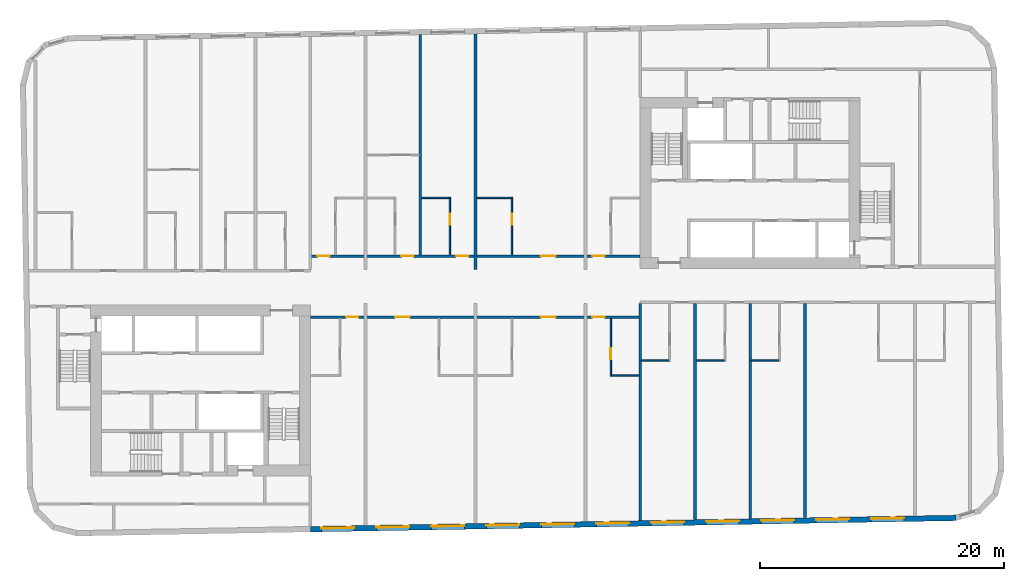
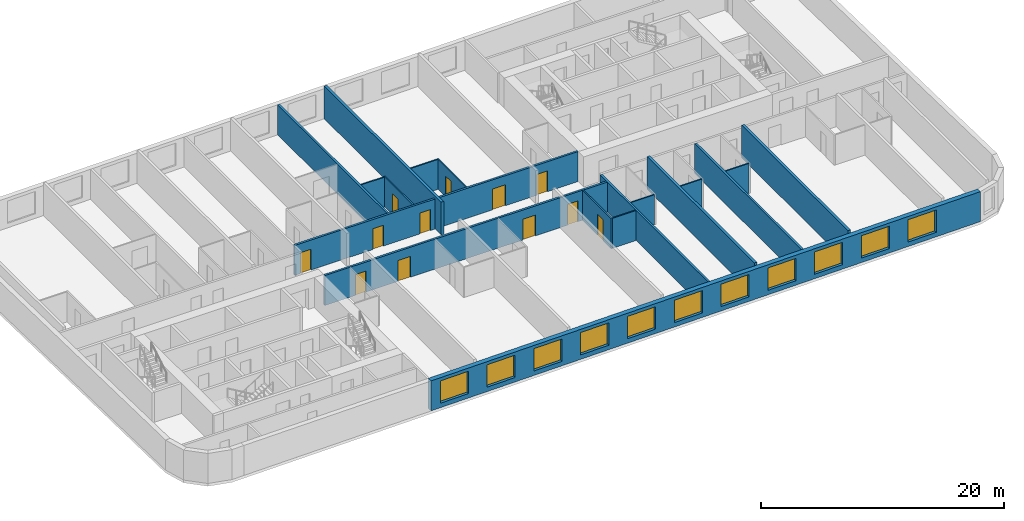
# One storey, part 4 of 11: 18 walls, 12 doors, 11 windows, 23 openings.
"""IFC4 building model written with IfcOpenShell, lengths in metres."""

from ifc_helpers import new_model, si_unit, direction, frame, frame_2d, origin, place, context, subcontext, project, spatial, rectangle, extrude, material, layer, layer_set, type_object, element, fill, save


model = new_model("IFC4")

# Units and contexts
model_context = context("Model", 3, precision=1e-05, world=origin(), true_north=direction((0.0, 1.0)))
body_context = subcontext(model_context, "Body", "Model", "MODEL_VIEW")
ifc_project = project(units=[si_unit("LENGTHUNIT", "METRE"), si_unit("AREAUNIT", "SQUARE_METRE"), si_unit("VOLUMEUNIT", "CUBIC_METRE"), si_unit("PLANEANGLEUNIT", "RADIAN"), si_unit("MASSUNIT", "GRAM", prefix="KILO")], contexts=[model_context])

# Site, building, storey
site_placement = place(None, origin())
site = spatial("IfcSite", under=ifc_project, at=site_placement, CompositionType="ELEMENT")
building_placement = place(site_placement, origin())
building = spatial("IfcBuilding", under=site, at=building_placement, Name="Kajstack Hotel Tower", CompositionType="ELEMENT")
storey_placement = place(building_placement, frame((0.0, 0.0, 250.699951171875)))
storey = spatial("IfcBuildingStorey", under=building, at=storey_placement, Name="L62", CompositionType="ELEMENT", Elevation=250.699951171875)

# Wall, openings, doors
ifc_material_1 = material(Name="Gypsum board on steel studs, mineral wool", Category="steel")
ifc_layer_1 = layer(ifc_material_1, 0.199951171875)
ifc_layer_set_1 = layer_set([ifc_layer_1], Name="Corridor wall 200")
wall_type_1 = type_object("IfcWallType", Name="Corridor wall 200", PredefinedType="PARTITIONING", material=ifc_layer_set_1)
wall_1_placement = place(storey_placement, frame((-13.5, 2.5, 0.0), z_axis=(0.0, 0.0, 1.0), x_axis=(1.0, 0.0, 0.0)))
wall_1 = element("IfcWall", 1, at=wall_1_placement, inside=storey, type_object=wall_type_1, Name="G-wall-L62-004", PredefinedType="PARTITIONING", context=body_context, shape_type="SweptSolid", body=[
    extrude(rectangle(XDim=27.0, YDim=0.199951171875, at=frame_2d((13.5, 0.0))), origin(), (0.0, 0.0, 1.0), 3.02001953125),
])
opening_1_placement = place(wall_1_placement, frame((0.574951171875, 0.0, 0.0)))
opening_1 = element("IfcOpeningElement", 2, at=opening_1_placement, cuts=wall_1, Name="Opening 62010", PredefinedType="OPENING", context=body_context, shape_type="SweptSolid", body=[
    extrude(rectangle(XDim=1.0, YDim=2.10009765625, at=frame_2d((0.5, 1.050048828125))), frame((0.0, 0.10986328125, 0.0), z_axis=(0.0, -1.0, 0.0), x_axis=(1.0, 0.0, 0.0)), (0.0, 0.0, 1.0), 0.219970703125),
])
opening_2_placement = place(wall_1_placement, frame((7.449951171875, 0.0, 0.0)))
opening_2 = element("IfcOpeningElement", 3, at=opening_2_placement, cuts=wall_1, Name="Opening 62012", PredefinedType="OPENING", context=body_context, shape_type="SweptSolid", body=[
    extrude(rectangle(XDim=1.0, YDim=2.10009765625, at=frame_2d((0.5, 1.050048828125))), frame((0.0, 0.10986328125, 0.0), z_axis=(0.0, -1.0, 0.0), x_axis=(1.0, 0.0, 0.0)), (0.0, 0.0, 1.0), 0.219970703125),
])
opening_3_placement = place(wall_1_placement, frame((11.925048828125, 0.0, 0.0)))
opening_3 = element("IfcOpeningElement", 4, at=opening_3_placement, cuts=wall_1, Name="Opening 62015", PredefinedType="OPENING", context=body_context, shape_type="SweptSolid", body=[
    extrude(rectangle(XDim=1.0, YDim=2.10009765625, at=frame_2d((0.5, 1.050048828125))), frame((0.0, 0.10986328125, 0.0), z_axis=(0.0, -1.0, 0.0), x_axis=(1.0, 0.0, 0.0)), (0.0, 0.0, 1.0), 0.219970703125),
])
opening_4_placement = place(wall_1_placement, frame((18.862060546875, 0.0, 0.0)))
opening_4 = element("IfcOpeningElement", 5, at=opening_4_placement, cuts=wall_1, Name="Opening 62017", PredefinedType="OPENING", context=body_context, shape_type="SweptSolid", body=[
    extrude(rectangle(XDim=1.199951171875, YDim=2.10009765625, at=frame_2d((0.60009765625, 1.050048828125))), frame((0.0, 0.10986328125, 0.0), z_axis=(0.0, -1.0, 0.0), x_axis=(1.0, 0.0, 0.0)), (0.0, 0.0, 1.0), 0.219970703125),
])
opening_5_placement = place(wall_1_placement, frame((23.074951171875, 0.0, 0.0)))
opening_5 = element("IfcOpeningElement", 6, at=opening_5_placement, cuts=wall_1, Name="Opening 62019", PredefinedType="OPENING", context=body_context, shape_type="SweptSolid", body=[
    extrude(rectangle(XDim=1.0, YDim=2.10009765625, at=frame_2d((0.5, 1.050048828125))), frame((0.0, 0.10986328125, 0.0), z_axis=(0.0, -1.0, 0.0), x_axis=(1.0, 0.0, 0.0)), (0.0, 0.0, 1.0), 0.219970703125),
])
ifc_material_2 = material(Name="Oak veneer on timber core, fire-rated leaf", Category="wood")
door_type_1 = type_object("IfcDoorType", Name="Flat entrance door 1000", OperationType="SINGLE_SWING_LEFT", PredefinedType="DOOR", material=ifc_material_2)
door_1_placement = place(opening_1_placement, origin())
door_1 = element("IfcDoor", 7, at=door_1_placement, inside=storey, type_object=door_type_1, Name="G-door-L62-10", OperationType="SINGLE_SWING_RIGHT", OverallHeight=2.10009765625, OverallWidth=1.0, PredefinedType="DOOR", context=body_context, shape_type="SweptSolid", body=[
    extrude(rectangle(XDim=1.0, YDim=2.10009765625, at=frame_2d((0.5, 1.050048828125))), frame((0.0, 0.02490234375, 0.0), z_axis=(0.0, -1.0, 0.0), x_axis=(1.0, 0.0, 0.0)), (0.0, 0.0, 1.0), 0.050048828125),
])
fill(opening_1, door_1)
door_2_placement = place(opening_2_placement, origin())
door_2 = element("IfcDoor", 8, at=door_2_placement, inside=storey, type_object=door_type_1, Name="G-door-L62-12", OperationType="SINGLE_SWING_LEFT", OverallHeight=2.10009765625, OverallWidth=1.0, PredefinedType="DOOR", context=body_context, shape_type="SweptSolid", body=[
    extrude(rectangle(XDim=1.0, YDim=2.10009765625, at=frame_2d((0.5, 1.050048828125))), frame((0.0, 0.02490234375, 0.0), z_axis=(0.0, -1.0, 0.0), x_axis=(1.0, 0.0, 0.0)), (0.0, 0.0, 1.0), 0.050048828125),
])
fill(opening_2, door_2)
door_3_placement = place(opening_3_placement, origin())
door_3 = element("IfcDoor", 9, at=door_3_placement, inside=storey, type_object=door_type_1, Name="G-door-L62-15", OperationType="SINGLE_SWING_RIGHT", OverallHeight=2.10009765625, OverallWidth=1.0, PredefinedType="DOOR", context=body_context, shape_type="SweptSolid", body=[
    extrude(rectangle(XDim=1.0, YDim=2.10009765625, at=frame_2d((0.5, 1.050048828125))), frame((0.0, 0.02490234375, 0.0), z_axis=(0.0, -1.0, 0.0), x_axis=(1.0, 0.0, 0.0)), (0.0, 0.0, 1.0), 0.050048828125),
])
fill(opening_3, door_3)
door_4_placement = place(opening_5_placement, origin())
door_4 = element("IfcDoor", 10, at=door_4_placement, inside=storey, type_object=door_type_1, Name="G-door-L62-19", OperationType="SINGLE_SWING_LEFT", OverallHeight=2.10009765625, OverallWidth=1.0, PredefinedType="DOOR", context=body_context, shape_type="SweptSolid", body=[
    extrude(rectangle(XDim=1.0, YDim=2.10009765625, at=frame_2d((0.5, 1.050048828125))), frame((0.0, 0.02490234375, 0.0), z_axis=(0.0, -1.0, 0.0), x_axis=(1.0, 0.0, 0.0)), (0.0, 0.0, 1.0), 0.050048828125),
])
fill(opening_5, door_4)
door_type_2 = type_object("IfcDoorType", Name="Flat entrance door 1200", OperationType="SINGLE_SWING_LEFT", PredefinedType="DOOR", material=ifc_material_2)
door_5_placement = place(opening_4_placement, origin())
door_5 = element("IfcDoor", 11, at=door_5_placement, inside=storey, type_object=door_type_2, Name="G-door-L62-17", OperationType="SINGLE_SWING_LEFT", OverallHeight=2.10009765625, OverallWidth=1.199951171875, PredefinedType="DOOR", context=body_context, shape_type="SweptSolid", body=[
    extrude(rectangle(XDim=1.199951171875, YDim=2.10009765625, at=frame_2d((0.60009765625, 1.050048828125))), frame((0.0, 0.02490234375, 0.0), z_axis=(0.0, -1.0, 0.0), x_axis=(1.0, 0.0, 0.0)), (0.0, 0.0, 1.0), 0.050048828125),
])
fill(opening_4, door_5)

wall_2_placement = place(storey_placement, frame((-13.5, -2.5, 0.0), z_axis=(0.0, 0.0, 1.0), x_axis=(1.0, 0.0, 0.0)))
wall_2 = element("IfcWall", 12, at=wall_2_placement, inside=storey, type_object=wall_type_1, Name="G-wall-L62-028", PredefinedType="PARTITIONING", context=body_context, shape_type="SweptSolid", body=[
    extrude(rectangle(XDim=27.0, YDim=0.199951171875, at=frame_2d((13.5, 0.0))), origin(), (0.0, 0.0, 1.0), 3.02001953125),
])
opening_6_placement = place(wall_2_placement, frame((2.925048828125, 0.0, 0.0)))
opening_6 = element("IfcOpeningElement", 13, at=opening_6_placement, cuts=wall_2, Name="Opening 62021", PredefinedType="OPENING", context=body_context, shape_type="SweptSolid", body=[
    extrude(rectangle(XDim=1.0, YDim=2.10009765625, at=frame_2d((0.5, 1.050048828125))), frame((0.0, 0.10986328125, 0.0), z_axis=(0.0, -1.0, 0.0), x_axis=(1.0, 0.0, 0.0)), (0.0, 0.0, 1.0), 0.219970703125),
])
opening_7_placement = place(wall_2_placement, frame((6.93798828125, 0.0, 0.0)))
opening_7 = element("IfcOpeningElement", 14, at=opening_7_placement, cuts=wall_2, Name="Opening 62023", PredefinedType="OPENING", context=body_context, shape_type="SweptSolid", body=[
    extrude(rectangle(XDim=1.199951171875, YDim=2.10009765625, at=frame_2d((0.60009765625, 1.050048828125))), frame((0.0, 0.10986328125, 0.0), z_axis=(0.0, -1.0, 0.0), x_axis=(1.0, 0.0, 0.0)), (0.0, 0.0, 1.0), 0.219970703125),
])
opening_8_placement = place(wall_2_placement, frame((18.862060546875, 0.0, 0.0)))
opening_8 = element("IfcOpeningElement", 15, at=opening_8_placement, cuts=wall_2, Name="Opening 62025", PredefinedType="OPENING", context=body_context, shape_type="SweptSolid", body=[
    extrude(rectangle(XDim=1.199951171875, YDim=2.10009765625, at=frame_2d((0.60009765625, 1.050048828125))), frame((0.0, 0.10986328125, 0.0), z_axis=(0.0, -1.0, 0.0), x_axis=(1.0, 0.0, 0.0)), (0.0, 0.0, 1.0), 0.219970703125),
])
opening_9_placement = place(wall_2_placement, frame((23.074951171875, 0.0, 0.0)))
opening_9 = element("IfcOpeningElement", 16, at=opening_9_placement, cuts=wall_2, Name="Opening 62027", PredefinedType="OPENING", context=body_context, shape_type="SweptSolid", body=[
    extrude(rectangle(XDim=1.0, YDim=2.10009765625, at=frame_2d((0.5, 1.050048828125))), frame((0.0, 0.10986328125, 0.0), z_axis=(0.0, -1.0, 0.0), x_axis=(1.0, 0.0, 0.0)), (0.0, 0.0, 1.0), 0.219970703125),
])
door_6_placement = place(opening_6_placement, origin())
door_6 = element("IfcDoor", 17, at=door_6_placement, inside=storey, type_object=door_type_1, Name="G-door-L62-21", OperationType="SINGLE_SWING_LEFT", OverallHeight=2.10009765625, OverallWidth=1.0, PredefinedType="DOOR", context=body_context, shape_type="SweptSolid", body=[
    extrude(rectangle(XDim=1.0, YDim=2.10009765625, at=frame_2d((0.5, 1.050048828125))), frame((0.0, 0.02490234375, 0.0), z_axis=(0.0, -1.0, 0.0), x_axis=(1.0, 0.0, 0.0)), (0.0, 0.0, 1.0), 0.050048828125),
])
fill(opening_6, door_6)
door_7_placement = place(opening_9_placement, origin())
door_7 = element("IfcDoor", 18, at=door_7_placement, inside=storey, type_object=door_type_1, Name="G-door-L62-27", OperationType="SINGLE_SWING_RIGHT", OverallHeight=2.10009765625, OverallWidth=1.0, PredefinedType="DOOR", context=body_context, shape_type="SweptSolid", body=[
    extrude(rectangle(XDim=1.0, YDim=2.10009765625, at=frame_2d((0.5, 1.050048828125))), frame((0.0, 0.02490234375, 0.0), z_axis=(0.0, -1.0, 0.0), x_axis=(1.0, 0.0, 0.0)), (0.0, 0.0, 1.0), 0.050048828125),
])
fill(opening_9, door_7)
door_8_placement = place(opening_7_placement, origin())
door_8 = element("IfcDoor", 19, at=door_8_placement, inside=storey, type_object=door_type_2, Name="G-door-L62-23", OperationType="SINGLE_SWING_RIGHT", OverallHeight=2.10009765625, OverallWidth=1.199951171875, PredefinedType="DOOR", context=body_context, shape_type="SweptSolid", body=[
    extrude(rectangle(XDim=1.199951171875, YDim=2.10009765625, at=frame_2d((0.60009765625, 1.050048828125))), frame((0.0, 0.02490234375, 0.0), z_axis=(0.0, -1.0, 0.0), x_axis=(1.0, 0.0, 0.0)), (0.0, 0.0, 1.0), 0.050048828125),
])
fill(opening_7, door_8)
door_9_placement = place(opening_8_placement, origin())
door_9 = element("IfcDoor", 20, at=door_9_placement, inside=storey, type_object=door_type_2, Name="G-door-L62-25", OperationType="SINGLE_SWING_RIGHT", OverallHeight=2.10009765625, OverallWidth=1.199951171875, PredefinedType="DOOR", context=body_context, shape_type="SweptSolid", body=[
    extrude(rectangle(XDim=1.199951171875, YDim=2.10009765625, at=frame_2d((0.60009765625, 1.050048828125))), frame((0.0, 0.02490234375, 0.0), z_axis=(0.0, -1.0, 0.0), x_axis=(1.0, 0.0, 0.0)), (0.0, 0.0, 1.0), 0.050048828125),
])
fill(opening_8, door_9)

# Walls
ifc_material_3 = material(Name="Twin-frame gypsum board on steel studs, mineral wool", Category="steel")
ifc_layer_2 = layer(ifc_material_3, 0.199951171875)
ifc_layer_set_2 = layer_set([ifc_layer_2], Name="Demising wall 200")
wall_type_2 = type_object("IfcWallType", Name="Demising wall 200", PredefinedType="PARTITIONING", material=ifc_layer_set_2)
wall_3_placement = place(storey_placement, frame((-4.5, 2.60009765625, 0.0), z_axis=(0.0, 0.0, 1.0), x_axis=(0.0, 1.0, 0.0)))
element("IfcWall", 21, at=wall_3_placement, inside=storey, type_object=wall_type_2, Name="G-wall-L62-018", PredefinedType="PARTITIONING", context=body_context, shape_type="SweptSolid", body=[
    extrude(rectangle(XDim=18.02197265625, YDim=0.199951171875, at=frame_2d((9.010986328125, 0.0))), origin(), (0.0, 0.0, 1.0), 3.02001953125),
])
wall_4_placement = place(storey_placement, frame((13.5, -19.169921875, 0.0), z_axis=(0.0, 0.0, 1.0), x_axis=(0.0, 1.0, 0.0)))
element("IfcWall", 22, at=wall_4_placement, inside=storey, type_object=wall_type_2, Name="G-wall-L62-036", PredefinedType="PARTITIONING", context=body_context, shape_type="SweptSolid", body=[
    extrude(rectangle(XDim=17.77001953125, YDim=0.199951171875, at=frame_2d((8.885009765625, 0.0))), origin(), (0.0, 0.0, 1.0), 3.02001953125),
])
wall_5_placement = place(storey_placement, frame((22.5, -19.012939453125, 0.0), z_axis=(0.0, 0.0, 1.0), x_axis=(0.0, 1.0, 0.0)))
element("IfcWall", 23, at=wall_5_placement, inside=storey, type_object=wall_type_2, Name="G-wall-L62-041", PredefinedType="PARTITIONING", context=body_context, shape_type="SweptSolid", body=[
    extrude(rectangle(XDim=17.613037109375, YDim=0.199951171875, at=frame_2d((8.806640625, 0.0))), origin(), (0.0, 0.0, 1.0), 3.02001953125),
])

# Wall, openings, windows
ifc_material_4 = material(Name="Terracotta-faced brick masonry", Category="masonry")
ifc_layer_3 = layer(ifc_material_4, 0.449951171875)
ifc_layer_set_3 = layer_set([ifc_layer_3], Name="EW-TERRA")
wall_type_3 = type_object("IfcWallType", Name="EW-TERRA", PredefinedType="SOLIDWALL", material=ifc_layer_set_3)
wall_6_placement = place(storey_placement, frame((-13.50390625, -19.8662109375, 0.0), z_axis=(0.0, 0.0, 1.0), x_axis=(0.999847672978, 0.017453676992, 0.0)))
wall_6 = element("IfcWall", 24, at=wall_6_placement, inside=storey, type_object=wall_type_3, Name="E-wall-L62-04-02", PredefinedType="SOLIDWALL", context=body_context, shape_type="SweptSolid", body=[
    extrude(rectangle(XDim=52.8603515625, YDim=0.449951171875, at=frame_2d((26.43017578125, 0.0))), origin(), (0.0, 0.0, 1.0), 3.02001953125),
])
opening_10_placement = place(wall_6_placement, frame((0.900390625, 0.0, 0.449951171875)))
opening_10 = element("IfcOpeningElement", 25, at=opening_10_placement, cuts=wall_6, Name="Opening W1", PredefinedType="OPENING", context=body_context, shape_type="SweptSolid", body=[
    extrude(rectangle(XDim=2.699951171875, YDim=2.25, at=frame_2d((1.35009765625, 1.125))), frame((0.0, 0.23486328125, 0.0), z_axis=(0.0, -1.0, 0.0), x_axis=(1.0, 0.0, 0.0)), (0.0, 0.0, 1.0), 0.469970703125),
])
opening_11_placement = place(wall_6_placement, frame((5.40087890625, 0.0, 0.449951171875)))
opening_11 = element("IfcOpeningElement", 26, at=opening_11_placement, cuts=wall_6, Name="Opening W1", PredefinedType="OPENING", context=body_context, shape_type="SweptSolid", body=[
    extrude(rectangle(XDim=2.699951171875, YDim=2.25, at=frame_2d((1.35009765625, 1.125))), frame((0.0, 0.23486328125, 0.0), z_axis=(0.0, -1.0, 0.0), x_axis=(1.0, 0.0, 0.0)), (0.0, 0.0, 1.0), 0.469970703125),
])
opening_12_placement = place(wall_6_placement, frame((9.901611328125, 0.0, 0.449951171875)))
opening_12 = element("IfcOpeningElement", 27, at=opening_12_placement, cuts=wall_6, Name="Opening W1", PredefinedType="OPENING", context=body_context, shape_type="SweptSolid", body=[
    extrude(rectangle(XDim=2.699951171875, YDim=2.25, at=frame_2d((1.35009765625, 1.125))), frame((0.0, 0.23486328125, 0.0), z_axis=(0.0, -1.0, 0.0), x_axis=(1.0, 0.0, 0.0)), (0.0, 0.0, 1.0), 0.469970703125),
])
opening_13_placement = place(wall_6_placement, frame((14.40234375, 0.0, 0.449951171875)))
opening_13 = element("IfcOpeningElement", 28, at=opening_13_placement, cuts=wall_6, Name="Opening W1", PredefinedType="OPENING", context=body_context, shape_type="SweptSolid", body=[
    extrude(rectangle(XDim=2.699951171875, YDim=2.25, at=frame_2d((1.35009765625, 1.125))), frame((0.0, 0.23486328125, 0.0), z_axis=(0.0, -1.0, 0.0), x_axis=(1.0, 0.0, 0.0)), (0.0, 0.0, 1.0), 0.469970703125),
])
opening_14_placement = place(wall_6_placement, frame((18.903076171875, 0.0, 0.449951171875)))
opening_14 = element("IfcOpeningElement", 29, at=opening_14_placement, cuts=wall_6, Name="Opening W1", PredefinedType="OPENING", context=body_context, shape_type="SweptSolid", body=[
    extrude(rectangle(XDim=2.699951171875, YDim=2.25, at=frame_2d((1.35009765625, 1.125))), frame((0.0, 0.23486328125, 0.0), z_axis=(0.0, -1.0, 0.0), x_axis=(1.0, 0.0, 0.0)), (0.0, 0.0, 1.0), 0.469970703125),
])
opening_15_placement = place(wall_6_placement, frame((23.40380859375, 0.0, 0.449951171875)))
opening_15 = element("IfcOpeningElement", 30, at=opening_15_placement, cuts=wall_6, Name="Opening W1", PredefinedType="OPENING", context=body_context, shape_type="SweptSolid", body=[
    extrude(rectangle(XDim=2.699951171875, YDim=2.25, at=frame_2d((1.35009765625, 1.125))), frame((0.0, 0.23486328125, 0.0), z_axis=(0.0, -1.0, 0.0), x_axis=(1.0, 0.0, 0.0)), (0.0, 0.0, 1.0), 0.469970703125),
])
opening_16_placement = place(wall_6_placement, frame((27.904296875, 0.0, 0.449951171875)))
opening_16 = element("IfcOpeningElement", 31, at=opening_16_placement, cuts=wall_6, Name="Opening W1", PredefinedType="OPENING", context=body_context, shape_type="SweptSolid", body=[
    extrude(rectangle(XDim=2.699951171875, YDim=2.25, at=frame_2d((1.35009765625, 1.125))), frame((0.0, 0.23486328125, 0.0), z_axis=(0.0, -1.0, 0.0), x_axis=(1.0, 0.0, 0.0)), (0.0, 0.0, 1.0), 0.469970703125),
])
opening_17_placement = place(wall_6_placement, frame((32.405029296875, 0.0, 0.449951171875)))
opening_17 = element("IfcOpeningElement", 32, at=opening_17_placement, cuts=wall_6, Name="Opening W1", PredefinedType="OPENING", context=body_context, shape_type="SweptSolid", body=[
    extrude(rectangle(XDim=2.699951171875, YDim=2.25, at=frame_2d((1.35009765625, 1.125))), frame((0.0, 0.23486328125, 0.0), z_axis=(0.0, -1.0, 0.0), x_axis=(1.0, 0.0, 0.0)), (0.0, 0.0, 1.0), 0.469970703125),
])
opening_18_placement = place(wall_6_placement, frame((36.90576171875, 0.0, 0.449951171875)))
opening_18 = element("IfcOpeningElement", 33, at=opening_18_placement, cuts=wall_6, Name="Opening W1", PredefinedType="OPENING", context=body_context, shape_type="SweptSolid", body=[
    extrude(rectangle(XDim=2.699951171875, YDim=2.25, at=frame_2d((1.35009765625, 1.125))), frame((0.0, 0.23486328125, 0.0), z_axis=(0.0, -1.0, 0.0), x_axis=(1.0, 0.0, 0.0)), (0.0, 0.0, 1.0), 0.469970703125),
])
opening_19_placement = place(wall_6_placement, frame((41.406494140625, 0.0, 0.449951171875)))
opening_19 = element("IfcOpeningElement", 34, at=opening_19_placement, cuts=wall_6, Name="Opening W1", PredefinedType="OPENING", context=body_context, shape_type="SweptSolid", body=[
    extrude(rectangle(XDim=2.699951171875, YDim=2.25, at=frame_2d((1.35009765625, 1.125))), frame((0.0, 0.23486328125, 0.0), z_axis=(0.0, -1.0, 0.0), x_axis=(1.0, 0.0, 0.0)), (0.0, 0.0, 1.0), 0.469970703125),
])
opening_20_placement = place(wall_6_placement, frame((45.9072265625, 0.0, 0.449951171875)))
opening_20 = element("IfcOpeningElement", 35, at=opening_20_placement, cuts=wall_6, Name="Opening W1", PredefinedType="OPENING", context=body_context, shape_type="SweptSolid", body=[
    extrude(rectangle(XDim=2.699951171875, YDim=2.25, at=frame_2d((1.35009765625, 1.125))), frame((0.0, 0.23486328125, 0.0), z_axis=(0.0, -1.0, 0.0), x_axis=(1.0, 0.0, 0.0)), (0.0, 0.0, 1.0), 0.469970703125),
])
ifc_material_5 = material(Name="Timber-aluminium window, triple glazed", Category="wood")
window_type = type_object("IfcWindowType", Name="WG1", PartitioningType="SINGLE_PANEL", PredefinedType="WINDOW", material=ifc_material_5)
window_1_placement = place(opening_10_placement, origin())
window_1 = element("IfcWindow", 36, at=window_1_placement, inside=storey, type_object=window_type, Name="Window W1 L62-04", OverallHeight=2.25, OverallWidth=2.699951171875, PartitioningType="SINGLE_PANEL", PredefinedType="WINDOW", context=body_context, shape_type="SweptSolid", body=[
    extrude(rectangle(XDim=2.699951171875, YDim=2.25, at=frame_2d((1.35009765625, 1.125))), frame((0.0, 0.090087890625, 0.0), z_axis=(0.0, -1.0, 0.0), x_axis=(1.0, 0.0, 0.0)), (0.0, 0.0, 1.0), 0.06005859375),
])
fill(opening_10, window_1)
window_2_placement = place(opening_11_placement, origin())
window_2 = element("IfcWindow", 37, at=window_2_placement, inside=storey, type_object=window_type, Name="Window W1 L62-04", OverallHeight=2.25, OverallWidth=2.699951171875, PartitioningType="SINGLE_PANEL", PredefinedType="WINDOW", context=body_context, shape_type="SweptSolid", body=[
    extrude(rectangle(XDim=2.699951171875, YDim=2.25, at=frame_2d((1.35009765625, 1.125))), frame((0.0, 0.090087890625, 0.0), z_axis=(0.0, -1.0, 0.0), x_axis=(1.0, 0.0, 0.0)), (0.0, 0.0, 1.0), 0.06005859375),
])
fill(opening_11, window_2)
window_3_placement = place(opening_12_placement, origin())
window_3 = element("IfcWindow", 38, at=window_3_placement, inside=storey, type_object=window_type, Name="Window W1 L62-04", OverallHeight=2.25, OverallWidth=2.699951171875, PartitioningType="SINGLE_PANEL", PredefinedType="WINDOW", context=body_context, shape_type="SweptSolid", body=[
    extrude(rectangle(XDim=2.699951171875, YDim=2.25, at=frame_2d((1.35009765625, 1.125))), frame((0.0, 0.090087890625, 0.0), z_axis=(0.0, -1.0, 0.0), x_axis=(1.0, 0.0, 0.0)), (0.0, 0.0, 1.0), 0.06005859375),
])
fill(opening_12, window_3)
window_4_placement = place(opening_13_placement, origin())
window_4 = element("IfcWindow", 39, at=window_4_placement, inside=storey, type_object=window_type, Name="Window W1 L62-04", OverallHeight=2.25, OverallWidth=2.699951171875, PartitioningType="SINGLE_PANEL", PredefinedType="WINDOW", context=body_context, shape_type="SweptSolid", body=[
    extrude(rectangle(XDim=2.699951171875, YDim=2.25, at=frame_2d((1.35009765625, 1.125))), frame((0.0, 0.090087890625, 0.0), z_axis=(0.0, -1.0, 0.0), x_axis=(1.0, 0.0, 0.0)), (0.0, 0.0, 1.0), 0.06005859375),
])
fill(opening_13, window_4)
window_5_placement = place(opening_14_placement, origin())
window_5 = element("IfcWindow", 40, at=window_5_placement, inside=storey, type_object=window_type, Name="Window W1 L62-04", OverallHeight=2.25, OverallWidth=2.699951171875, PartitioningType="SINGLE_PANEL", PredefinedType="WINDOW", context=body_context, shape_type="SweptSolid", body=[
    extrude(rectangle(XDim=2.699951171875, YDim=2.25, at=frame_2d((1.35009765625, 1.125))), frame((0.0, 0.090087890625, 0.0), z_axis=(0.0, -1.0, 0.0), x_axis=(1.0, 0.0, 0.0)), (0.0, 0.0, 1.0), 0.06005859375),
])
fill(opening_14, window_5)
window_6_placement = place(opening_15_placement, origin())
window_6 = element("IfcWindow", 41, at=window_6_placement, inside=storey, type_object=window_type, Name="Window W1 L62-04", OverallHeight=2.25, OverallWidth=2.699951171875, PartitioningType="SINGLE_PANEL", PredefinedType="WINDOW", context=body_context, shape_type="SweptSolid", body=[
    extrude(rectangle(XDim=2.699951171875, YDim=2.25, at=frame_2d((1.35009765625, 1.125))), frame((0.0, 0.090087890625, 0.0), z_axis=(0.0, -1.0, 0.0), x_axis=(1.0, 0.0, 0.0)), (0.0, 0.0, 1.0), 0.06005859375),
])
fill(opening_15, window_6)
window_7_placement = place(opening_16_placement, origin())
window_7 = element("IfcWindow", 42, at=window_7_placement, inside=storey, type_object=window_type, Name="Window W1 L62-04", OverallHeight=2.25, OverallWidth=2.699951171875, PartitioningType="SINGLE_PANEL", PredefinedType="WINDOW", context=body_context, shape_type="SweptSolid", body=[
    extrude(rectangle(XDim=2.699951171875, YDim=2.25, at=frame_2d((1.35009765625, 1.125))), frame((0.0, 0.090087890625, 0.0), z_axis=(0.0, -1.0, 0.0), x_axis=(1.0, 0.0, 0.0)), (0.0, 0.0, 1.0), 0.06005859375),
])
fill(opening_16, window_7)
window_8_placement = place(opening_17_placement, origin())
window_8 = element("IfcWindow", 43, at=window_8_placement, inside=storey, type_object=window_type, Name="Window W1 L62-04", OverallHeight=2.25, OverallWidth=2.699951171875, PartitioningType="SINGLE_PANEL", PredefinedType="WINDOW", context=body_context, shape_type="SweptSolid", body=[
    extrude(rectangle(XDim=2.699951171875, YDim=2.25, at=frame_2d((1.35009765625, 1.125))), frame((0.0, 0.090087890625, 0.0), z_axis=(0.0, -1.0, 0.0), x_axis=(1.0, 0.0, 0.0)), (0.0, 0.0, 1.0), 0.06005859375),
])
fill(opening_17, window_8)
window_9_placement = place(opening_18_placement, origin())
window_9 = element("IfcWindow", 44, at=window_9_placement, inside=storey, type_object=window_type, Name="Window W1 L62-04", OverallHeight=2.25, OverallWidth=2.699951171875, PartitioningType="SINGLE_PANEL", PredefinedType="WINDOW", context=body_context, shape_type="SweptSolid", body=[
    extrude(rectangle(XDim=2.699951171875, YDim=2.25, at=frame_2d((1.35009765625, 1.125))), frame((0.0, 0.090087890625, 0.0), z_axis=(0.0, -1.0, 0.0), x_axis=(1.0, 0.0, 0.0)), (0.0, 0.0, 1.0), 0.06005859375),
])
fill(opening_18, window_9)
window_10_placement = place(opening_19_placement, origin())
window_10 = element("IfcWindow", 45, at=window_10_placement, inside=storey, type_object=window_type, Name="Window W1 L62-04", OverallHeight=2.25, OverallWidth=2.699951171875, PartitioningType="SINGLE_PANEL", PredefinedType="WINDOW", context=body_context, shape_type="SweptSolid", body=[
    extrude(rectangle(XDim=2.699951171875, YDim=2.25, at=frame_2d((1.35009765625, 1.125))), frame((0.0, 0.090087890625, 0.0), z_axis=(0.0, -1.0, 0.0), x_axis=(1.0, 0.0, 0.0)), (0.0, 0.0, 1.0), 0.06005859375),
])
fill(opening_19, window_10)
window_11_placement = place(opening_20_placement, origin())
window_11 = element("IfcWindow", 46, at=window_11_placement, inside=storey, type_object=window_type, Name="Window W1 L62-04", OverallHeight=2.25, OverallWidth=2.699951171875, PartitioningType="SINGLE_PANEL", PredefinedType="WINDOW", context=body_context, shape_type="SweptSolid", body=[
    extrude(rectangle(XDim=2.699951171875, YDim=2.25, at=frame_2d((1.35009765625, 1.125))), frame((0.0, 0.090087890625, 0.0), z_axis=(0.0, -1.0, 0.0), x_axis=(1.0, 0.0, 0.0)), (0.0, 0.0, 1.0), 0.06005859375),
])
fill(opening_20, window_11)

# Wall, opening, door
ifc_material_6 = material(Name="Gypsum board and tiled backer on steel studs", Category="steel")
ifc_layer_4 = layer(ifc_material_6, 0.125)
ifc_layer_set_4 = layer_set([ifc_layer_4], Name="En-suite wall 125")
wall_type_4 = type_object("IfcWallType", Name="En-suite wall 125", PredefinedType="PARTITIONING", material=ifc_layer_set_4)
wall_7_placement = place(storey_placement, frame((-2.0869140625, 2.60009765625, 0.0), z_axis=(0.0, 0.0, 1.0), x_axis=(0.0, 1.0, 0.0)))
wall_7 = element("IfcWall", 47, at=wall_7_placement, inside=storey, type_object=wall_type_4, Name="G-wall-L62-022", PredefinedType="PARTITIONING", context=body_context, shape_type="SweptSolid", body=[
    extrude(rectangle(XDim=4.724853515625, YDim=0.125, at=frame_2d((2.3623046875, 0.0))), origin(), (0.0, 0.0, 1.0), 3.02001953125),
])
opening_21_placement = place(wall_7_placement, frame((2.449951171875, 0.0, 0.0)))
opening_21 = element("IfcOpeningElement", 48, at=opening_21_placement, cuts=wall_7, Name="Opening 62016", PredefinedType="OPENING", context=body_context, shape_type="SweptSolid", body=[
    extrude(rectangle(XDim=0.89990234375, YDim=2.10009765625, at=frame_2d((0.449951171875, 1.050048828125))), frame((0.0, 0.072509765625, 0.0), z_axis=(0.0, -1.0, 0.0), x_axis=(1.0, 0.0, 0.0)), (0.0, 0.0, 1.0), 0.14501953125),
])
ifc_material_7 = material(Name="Painted timber door leaf", Category="wood")
door_type_3 = type_object("IfcDoorType", Name="Room door 900", OperationType="SINGLE_SWING_LEFT", PredefinedType="DOOR", material=ifc_material_7)
door_10_placement = place(opening_21_placement, origin())
door_10 = element("IfcDoor", 49, at=door_10_placement, inside=storey, type_object=door_type_3, Name="G-door-L62-16", OperationType="SINGLE_SWING_LEFT", OverallHeight=2.10009765625, OverallWidth=0.89990234375, PredefinedType="DOOR", context=body_context, shape_type="SweptSolid", body=[
    extrude(rectangle(XDim=0.89990234375, YDim=2.10009765625, at=frame_2d((0.449951171875, 1.050048828125))), frame((0.0, 0.02490234375, 0.0), z_axis=(0.0, -1.0, 0.0), x_axis=(1.0, 0.0, 0.0)), (0.0, 0.0, 1.0), 0.050048828125),
])
fill(opening_21, door_10)

# Wall
wall_8_placement = place(storey_placement, frame((-4.39990234375, 7.261962890625, 0.0), z_axis=(0.0, 0.0, 1.0), x_axis=(1.0, 0.0, 0.0)))
element("IfcWall", 50, at=wall_8_placement, inside=storey, type_object=wall_type_4, Name="G-wall-L62-023", PredefinedType="PARTITIONING", context=body_context, shape_type="SweptSolid", body=[
    extrude(rectangle(XDim=2.25, YDim=0.125, at=frame_2d((1.125, 0.0))), origin(), (0.0, 0.0, 1.0), 3.02001953125),
])

# Wall, opening, door
wall_9_placement = place(storey_placement, frame((2.987060546875, 2.60009765625, 0.0), z_axis=(0.0, 0.0, 1.0), x_axis=(0.0, 1.0, 0.0)))
wall_9 = element("IfcWall", 51, at=wall_9_placement, inside=storey, type_object=wall_type_4, Name="G-wall-L62-024", PredefinedType="PARTITIONING", context=body_context, shape_type="SweptSolid", body=[
    extrude(rectangle(XDim=4.724853515625, YDim=0.125, at=frame_2d((2.3623046875, 0.0))), origin(), (0.0, 0.0, 1.0), 3.02001953125),
])
opening_22_placement = place(wall_9_placement, frame((2.449951171875, 0.0, 0.0)))
opening_22 = element("IfcOpeningElement", 52, at=opening_22_placement, cuts=wall_9, Name="Opening 62018", PredefinedType="OPENING", context=body_context, shape_type="SweptSolid", body=[
    extrude(rectangle(XDim=0.89990234375, YDim=2.10009765625, at=frame_2d((0.449951171875, 1.050048828125))), frame((0.0, 0.072509765625, 0.0), z_axis=(0.0, -1.0, 0.0), x_axis=(1.0, 0.0, 0.0)), (0.0, 0.0, 1.0), 0.14501953125),
])
door_11_placement = place(opening_22_placement, origin())
door_11 = element("IfcDoor", 53, at=door_11_placement, inside=storey, type_object=door_type_3, Name="G-door-L62-18", OperationType="SINGLE_SWING_LEFT", OverallHeight=2.10009765625, OverallWidth=0.89990234375, PredefinedType="DOOR", context=body_context, shape_type="SweptSolid", body=[
    extrude(rectangle(XDim=0.89990234375, YDim=2.10009765625, at=frame_2d((0.449951171875, 1.050048828125))), frame((0.0, 0.02490234375, 0.0), z_axis=(0.0, -1.0, 0.0), x_axis=(1.0, 0.0, 0.0)), (0.0, 0.0, 1.0), 0.050048828125),
])
fill(opening_22, door_11)

# Wall
wall_10_placement = place(storey_placement, frame((0.125, 7.261962890625, 0.0), z_axis=(0.0, 0.0, 1.0), x_axis=(1.0, 0.0, 0.0)))
element("IfcWall", 54, at=wall_10_placement, inside=storey, type_object=wall_type_4, Name="G-wall-L62-025", PredefinedType="PARTITIONING", context=body_context, shape_type="SweptSolid", body=[
    extrude(rectangle(XDim=2.800048828125, YDim=0.125, at=frame_2d((1.39990234375, 0.0))), origin(), (0.0, 0.0, 1.0), 3.02001953125),
])

# Wall, opening, door
wall_11_placement = place(storey_placement, frame((11.087890625, -7.324951171875, 0.0), z_axis=(0.0, 0.0, 1.0), x_axis=(0.0, 1.0, 0.0)))
wall_11 = element("IfcWall", 55, at=wall_11_placement, inside=storey, type_object=wall_type_4, Name="G-wall-L62-037", PredefinedType="PARTITIONING", context=body_context, shape_type="SweptSolid", body=[
    extrude(rectangle(XDim=4.724853515625, YDim=0.125, at=frame_2d((2.3623046875, 0.0))), origin(), (0.0, 0.0, 1.0), 3.02001953125),
])
opening_23_placement = place(wall_11_placement, frame((1.375, 0.0, 0.0)))
opening_23 = element("IfcOpeningElement", 56, at=opening_23_placement, cuts=wall_11, Name="Opening 62028", PredefinedType="OPENING", context=body_context, shape_type="SweptSolid", body=[
    extrude(rectangle(XDim=0.89990234375, YDim=2.10009765625, at=frame_2d((0.449951171875, 1.050048828125))), frame((0.0, 0.072509765625, 0.0), z_axis=(0.0, -1.0, 0.0), x_axis=(1.0, 0.0, 0.0)), (0.0, 0.0, 1.0), 0.14501953125),
])
door_12_placement = place(opening_23_placement, origin())
door_12 = element("IfcDoor", 57, at=door_12_placement, inside=storey, type_object=door_type_3, Name="G-door-L62-28", OperationType="SINGLE_SWING_RIGHT", OverallHeight=2.10009765625, OverallWidth=0.89990234375, PredefinedType="DOOR", context=body_context, shape_type="SweptSolid", body=[
    extrude(rectangle(XDim=0.89990234375, YDim=2.10009765625, at=frame_2d((0.449951171875, 1.050048828125))), frame((0.0, 0.02490234375, 0.0), z_axis=(0.0, -1.0, 0.0), x_axis=(1.0, 0.0, 0.0)), (0.0, 0.0, 1.0), 0.050048828125),
])
fill(opening_23, door_12)

# Walls
for number, where, z_axis, x_axis, name in (
    (58, (11.14990234375, -7.261962890625, 0.0), (0.0, 0.0, 1.0), (1.0, 0.0, 0.0), "G-wall-L62-038"),
    (59, (13.60009765625, -6.06201171875, 0.0), (0.0, 0.0, 1.0), (1.0, 0.0, 0.0), "G-wall-L62-040"),
    (60, (18.125, -6.06201171875, 0.0), (0.0, 0.0, 1.0), (1.0, 0.0, 0.0), "G-wall-L62-043"),
    (61, (22.60009765625, -6.06201171875, 0.0), (0.0, 0.0, 1.0), (1.0, 0.0, 0.0), "G-wall-L62-045"),
):
    element("IfcWall", number, at=place(storey_placement, frame(where, z_axis=z_axis, x_axis=x_axis)), inside=storey, type_object=wall_type_4, Name=name, PredefinedType="PARTITIONING", context=body_context, shape_type="SweptSolid", body=[
        extrude(rectangle(XDim=2.25, YDim=0.125, at=frame_2d((1.125, 0.0))), origin(), (0.0, 0.0, 1.0), 3.02001953125),
    ])
ifc_material_8 = material(Name="Concrete C45/55", Category="concrete")
ifc_layer_5 = layer(ifc_material_8, 0.25)
ifc_layer_set_5 = layer_set([ifc_layer_5], Name="RC cross wall 250 C45/55")
wall_type_5 = type_object("IfcWallType", Name="RC cross wall 250 C45/55", PredefinedType="SHEAR", material=ifc_layer_set_5)
wall_12_placement = place(storey_placement, frame((0.0, 1.39990234375, 0.0), z_axis=(0.0, 0.0, 1.0), x_axis=(0.0, 1.0, 0.0)))
element("IfcWall", 62, at=wall_12_placement, inside=storey, type_object=wall_type_5, Name="S-wall-L62-07", PredefinedType="SHEAR", context=body_context, shape_type="SweptSolid", body=[
    extrude(rectangle(XDim=19.28857421875, YDim=0.25, at=frame_2d((9.644287109375, 0.0))), origin(), (0.0, 0.0, 1.0), 3.300048828125),
])
wall_13_placement = place(storey_placement, frame((18.0, -19.0791015625, 0.0), z_axis=(0.0, 0.0, 1.0), x_axis=(0.0, 1.0, 0.0)))
element("IfcWall", 63, at=wall_13_placement, inside=storey, type_object=wall_type_5, Name="S-wall-L62-10", PredefinedType="SHEAR", context=body_context, shape_type="SweptSolid", body=[
    extrude(rectangle(XDim=17.67919921875, YDim=0.25, at=frame_2d((8.839599609375, 0.0))), origin(), (0.0, 0.0, 1.0), 3.300048828125),
])
wall_14_placement = place(storey_placement, frame((27.0, -18.922119140625, 0.0), z_axis=(0.0, 0.0, 1.0), x_axis=(0.0, 1.0, 0.0)))
element("IfcWall", 64, at=wall_14_placement, inside=storey, type_object=wall_type_5, Name="S-wall-L62-11", PredefinedType="SHEAR", context=body_context, shape_type="SweptSolid", body=[
    extrude(rectangle(XDim=17.522216796875, YDim=0.25, at=frame_2d((8.76123046875, 0.0))), origin(), (0.0, 0.0, 1.0), 3.300048828125),
])

save(model, "model.ifc")
